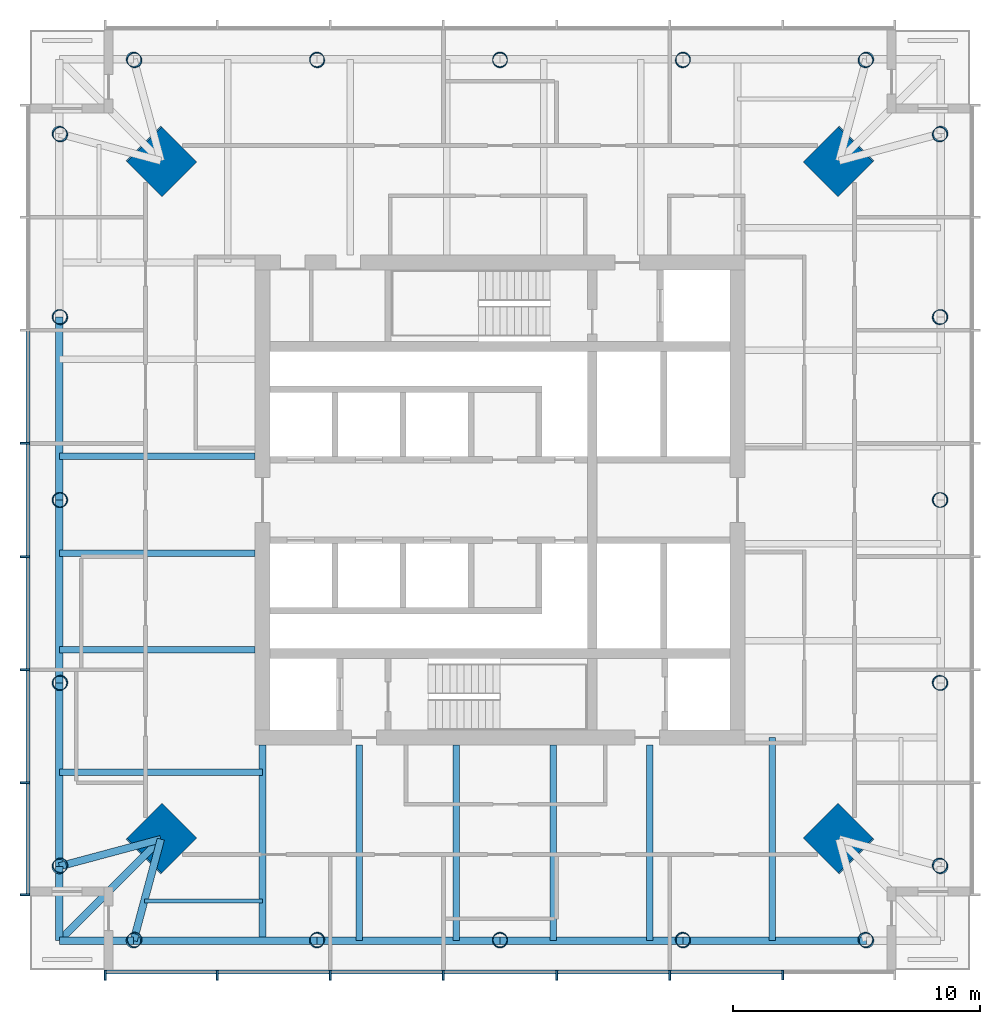
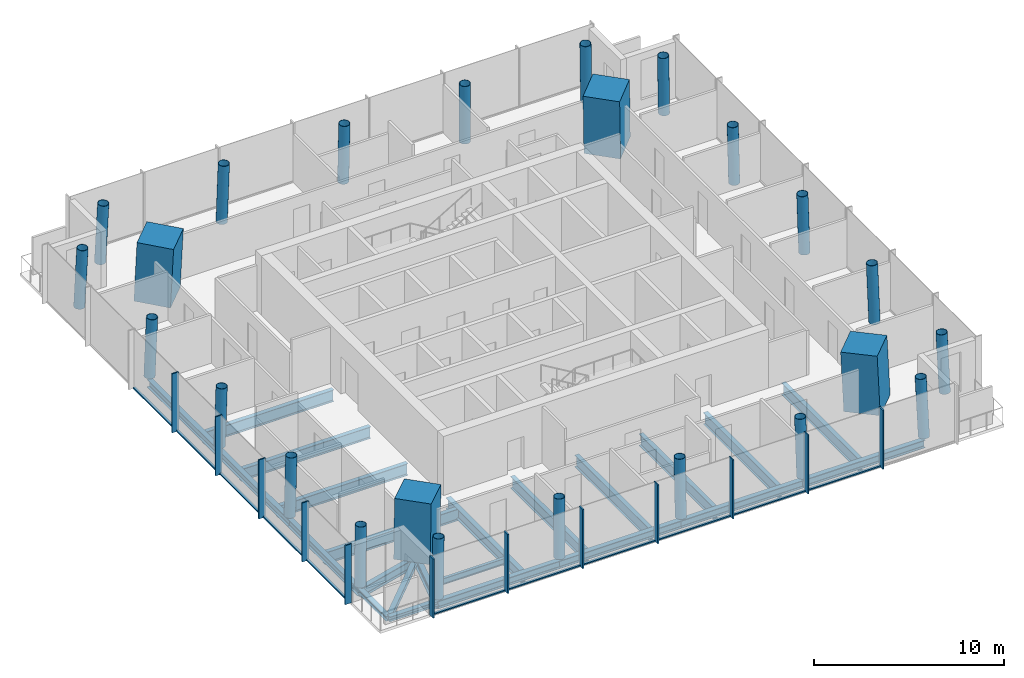
# One storey, part 1 of 7: 24 columns, 23 beams, 23 members, 2 elements without a shape of their own.
"""IFC4 building model written with IfcOpenShell, lengths in metres."""

from ifc_helpers import new_model, si_unit, direction, frame, origin, origin_2d, place, context, subcontext, project, spatial, rectangle, hollow_circle, i_section, extrude, material, material_profile, profile_set, type_object, element, aggregate, save


model = new_model("IFC4")

# Units and contexts
model_context = context("Model", 3, precision=1e-05, world=origin(), true_north=direction((0.0, 1.0)))
body_context = subcontext(model_context, "Body", "Model", "MODEL_VIEW")
ifc_project = project(units=[si_unit("LENGTHUNIT", "METRE"), si_unit("AREAUNIT", "SQUARE_METRE"), si_unit("VOLUMEUNIT", "CUBIC_METRE"), si_unit("PLANEANGLEUNIT", "RADIAN"), si_unit("MASSUNIT", "GRAM", prefix="KILO")], contexts=[model_context])

# Site, building, storey
site_placement = place(None, origin())
site = spatial("IfcSite", under=ifc_project, at=site_placement, CompositionType="ELEMENT")
building_placement = place(site_placement, origin())
building = spatial("IfcBuilding", under=site, at=building_placement, Name="Ostroluk Exchange", CompositionType="ELEMENT")
storey_placement = place(building_placement, frame((0.0, 0.0, 214.800048828125)))
storey = spatial("IfcBuildingStorey", under=building, at=storey_placement, Name="L55", CompositionType="ELEMENT", Elevation=214.800048828125)

# Columns
ifc_material_1 = material(Name="Concrete C50/60", Category="concrete")
ifc_material_profile_1 = material_profile(ifc_material_1, rectangle(XDim=2.0, YDim=2.0, at=origin_2d()), Name="RC 2000x2000")
ifc_profile_set_1 = profile_set([ifc_material_profile_1], Name="Concrete C50/60")
column_type_1 = type_object("IfcColumnType", Name="Mega column RC 2000x2000", PredefinedType="COLUMN", material=ifc_profile_set_1)
for number, where, z_axis, x_axis, name in (
    (1, (58.70703125, 59.70703125, 0.0), (-0.031898107953, -0.031898107953, 0.998981992539), (0.707106781187, -0.707106781187, 0.0), "T1 mega column NE"),
    (2, (31.29296875, 59.70703125, 0.0), (0.031898107953, -0.031898107953, 0.998981992539), (0.707106781187, 0.707106781187, 0.0), "T1 mega column NW"),
    (3, (31.29296875, 32.29296875, 0.0), (0.031898107953, 0.031898107953, 0.998981992539), (-0.707106781187, 0.707106781187, 0.0), "T1 mega column SW"),
    (4, (58.70703125, 32.29296875, 0.0), (-0.031898107953, 0.031898107953, 0.998981992539), (-0.707106781187, -0.707106781187, 0.0), "T1 mega column SE"),
):
    element("IfcColumn", number, at=place(storey_placement, frame(where, z_axis=z_axis, x_axis=x_axis)), inside=storey, type_object=column_type_1, Name=name, PredefinedType="COLUMN", context=body_context, shape_type="SweptSolid", body=[
        extrude(rectangle(XDim=2.0, YDim=2.0, at=origin_2d()), origin(), (0.0, 0.0, 1.0), 3.803955078125),
    ])
ifc_material_2 = material(Name="Steel S460", Category="steel")
ifc_material_profile_2 = material_profile(ifc_material_2, hollow_circle(Radius=0.304931640625, WallThickness=0.02490234375, at=origin_2d()), Name="CHS 610x25")
ifc_profile_set_2 = profile_set([ifc_material_profile_2], Name="Steel S460")
column_type_2 = type_object("IfcColumnType", Name="Perimeter column CHS 610x25", PredefinedType="COLUMN", material=ifc_profile_set_2)
for number, where, z_axis, x_axis, name in (
    (5, (62.80712890625, 31.19287109375, 0.0), (-0.031898107953, 0.031898107953, 0.998981992539), (-0.707106781187, -0.707106781187, 0.0), "T1 east face column E0"),
    (6, (62.80712890625, 60.80712890625, 0.0), (-0.031898107953, -0.031898107953, 0.998981992539), (0.707106781187, -0.707106781187, 0.0), "T1 east face column E1"),
):
    element("IfcColumn", number, at=place(storey_placement, frame(where, z_axis=z_axis, x_axis=x_axis)), inside=storey, type_object=column_type_2, Name=name, PredefinedType="COLUMN", context=body_context, shape_type="SweptSolid", body=[
        extrude(hollow_circle(Radius=0.304931640625, WallThickness=0.02490234375, at=origin_2d()), origin(), (0.0, 0.0, 1.0), 3.803955078125),
    ])
column_1_placement = place(storey_placement, frame((62.80712890625, 38.596435546875, 0.0), z_axis=(-0.031910269556, 0.015987237665, 0.999362868496), x_axis=(-0.447933021895, -0.894067115991, 0.0)))
element("IfcColumn", 7, at=column_1_placement, inside=storey, type_object=column_type_2, Name="T1 east face column I1", PredefinedType="COLUMN", context=body_context, shape_type="SweptSolid", body=[
    extrude(hollow_circle(Radius=0.304931640625, WallThickness=0.02490234375, at=origin_2d()), origin(), (0.0, 0.0, 1.0), 3.802490234375),
])
column_2_placement = place(storey_placement, frame((62.80712890625, 46.0, 0.0), z_axis=(-0.031914348339, 0.0, 0.999490607445), x_axis=(0.0, -1.0, 0.0)))
element("IfcColumn", 8, at=column_2_placement, inside=storey, type_object=column_type_2, Name="T1 east face column I2", PredefinedType="COLUMN", context=body_context, shape_type="SweptSolid", body=[
    extrude(hollow_circle(Radius=0.304931640625, WallThickness=0.02490234375, at=origin_2d()), origin(), (0.0, 0.0, 1.0), 3.802001953125),
])
column_3_placement = place(storey_placement, frame((62.80712890625, 53.403564453125, 0.0), z_axis=(-0.031910269556, -0.015987237665, 0.999362868496), x_axis=(0.447933021895, -0.894067115991, 0.0)))
element("IfcColumn", 9, at=column_3_placement, inside=storey, type_object=column_type_2, Name="T1 east face column I3", PredefinedType="COLUMN", context=body_context, shape_type="SweptSolid", body=[
    extrude(hollow_circle(Radius=0.304931640625, WallThickness=0.02490234375, at=origin_2d()), origin(), (0.0, 0.0, 1.0), 3.802490234375),
])
for number, where, z_axis, x_axis, name in (
    (10, (59.80712890625, 63.80712890625, 0.0), (-0.031898107953, -0.031898107953, 0.998981992539), (0.707106781187, -0.707106781187, 0.0), "T1 north face column E0"),
    (11, (30.19287109375, 63.80712890625, 0.0), (0.031898107953, -0.031898107953, 0.998981992539), (0.707106781187, 0.707106781187, 0.0), "T1 north face column E1"),
):
    element("IfcColumn", number, at=place(storey_placement, frame(where, z_axis=z_axis, x_axis=x_axis)), inside=storey, type_object=column_type_2, Name=name, PredefinedType="COLUMN", context=body_context, shape_type="SweptSolid", body=[
        extrude(hollow_circle(Radius=0.304931640625, WallThickness=0.02490234375, at=origin_2d()), origin(), (0.0, 0.0, 1.0), 3.803955078125),
    ])
column_4_placement = place(storey_placement, frame((52.403564453125, 63.80712890625, 0.0), z_axis=(-0.015987237665, -0.031910269556, 0.999362868496), x_axis=(0.894067115991, -0.447933021895, 0.0)))
element("IfcColumn", 12, at=column_4_placement, inside=storey, type_object=column_type_2, Name="T1 north face column I1", PredefinedType="COLUMN", context=body_context, shape_type="SweptSolid", body=[
    extrude(hollow_circle(Radius=0.304931640625, WallThickness=0.02490234375, at=origin_2d()), origin(), (0.0, 0.0, 1.0), 3.802490234375),
])
column_5_placement = place(storey_placement, frame((45.0, 63.80712890625, 0.0), z_axis=(0.0, -0.031914348339, 0.999490607445), x_axis=(1.0, 0.0, 0.0)))
element("IfcColumn", 13, at=column_5_placement, inside=storey, type_object=column_type_2, Name="T1 north face column I2", PredefinedType="COLUMN", context=body_context, shape_type="SweptSolid", body=[
    extrude(hollow_circle(Radius=0.304931640625, WallThickness=0.02490234375, at=origin_2d()), origin(), (0.0, 0.0, 1.0), 3.802001953125),
])
column_6_placement = place(storey_placement, frame((37.596435546875, 63.80712890625, 0.0), z_axis=(0.015987237665, -0.031910269556, 0.999362868496), x_axis=(0.894067115991, 0.447933021895, 0.0)))
element("IfcColumn", 14, at=column_6_placement, inside=storey, type_object=column_type_2, Name="T1 north face column I3", PredefinedType="COLUMN", context=body_context, shape_type="SweptSolid", body=[
    extrude(hollow_circle(Radius=0.304931640625, WallThickness=0.02490234375, at=origin_2d()), origin(), (0.0, 0.0, 1.0), 3.802490234375),
])
for number, where, z_axis, x_axis, name in (
    (15, (27.19287109375, 60.80712890625, 0.0), (0.031898107953, -0.031898107953, 0.998981992539), (0.707106781187, 0.707106781187, 0.0), "T1 west face column E0"),
    (16, (27.19287109375, 31.19287109375, 0.0), (0.031898107953, 0.031898107953, 0.998981992539), (-0.707106781187, 0.707106781187, 0.0), "T1 west face column E1"),
):
    element("IfcColumn", number, at=place(storey_placement, frame(where, z_axis=z_axis, x_axis=x_axis)), inside=storey, type_object=column_type_2, Name=name, PredefinedType="COLUMN", context=body_context, shape_type="SweptSolid", body=[
        extrude(hollow_circle(Radius=0.304931640625, WallThickness=0.02490234375, at=origin_2d()), origin(), (0.0, 0.0, 1.0), 3.803955078125),
    ])
column_7_placement = place(storey_placement, frame((27.19287109375, 53.403564453125, 0.0), z_axis=(0.031910269556, -0.015987237665, 0.999362868496), x_axis=(0.447933021895, 0.894067115991, 0.0)))
element("IfcColumn", 17, at=column_7_placement, inside=storey, type_object=column_type_2, Name="T1 west face column I1", PredefinedType="COLUMN", context=body_context, shape_type="SweptSolid", body=[
    extrude(hollow_circle(Radius=0.304931640625, WallThickness=0.02490234375, at=origin_2d()), origin(), (0.0, 0.0, 1.0), 3.802490234375),
])
column_8_placement = place(storey_placement, frame((27.19287109375, 46.0, 0.0), z_axis=(0.031914348339, 0.0, 0.999490607445), x_axis=(0.0, 1.0, 0.0)))
element("IfcColumn", 18, at=column_8_placement, inside=storey, type_object=column_type_2, Name="T1 west face column I2", PredefinedType="COLUMN", context=body_context, shape_type="SweptSolid", body=[
    extrude(hollow_circle(Radius=0.304931640625, WallThickness=0.02490234375, at=origin_2d()), origin(), (0.0, 0.0, 1.0), 3.802001953125),
])
column_9_placement = place(storey_placement, frame((27.19287109375, 38.596435546875, 0.0), z_axis=(0.031910269556, 0.015987237665, 0.999362868496), x_axis=(-0.447933021895, 0.894067115991, 0.0)))
element("IfcColumn", 19, at=column_9_placement, inside=storey, type_object=column_type_2, Name="T1 west face column I3", PredefinedType="COLUMN", context=body_context, shape_type="SweptSolid", body=[
    extrude(hollow_circle(Radius=0.304931640625, WallThickness=0.02490234375, at=origin_2d()), origin(), (0.0, 0.0, 1.0), 3.802490234375),
])
for number, where, z_axis, x_axis, name in (
    (20, (30.19287109375, 28.19287109375, 0.0), (0.031898107953, 0.031898107953, 0.998981992539), (-0.707106781187, 0.707106781187, 0.0), "T1 south face column E0"),
    (21, (59.80712890625, 28.19287109375, 0.0), (-0.031898107953, 0.031898107953, 0.998981992539), (-0.707106781187, -0.707106781187, 0.0), "T1 south face column E1"),
):
    element("IfcColumn", number, at=place(storey_placement, frame(where, z_axis=z_axis, x_axis=x_axis)), inside=storey, type_object=column_type_2, Name=name, PredefinedType="COLUMN", context=body_context, shape_type="SweptSolid", body=[
        extrude(hollow_circle(Radius=0.304931640625, WallThickness=0.02490234375, at=origin_2d()), origin(), (0.0, 0.0, 1.0), 3.803955078125),
    ])
column_10_placement = place(storey_placement, frame((37.596435546875, 28.19287109375, 0.0), z_axis=(0.015987237665, 0.031910269556, 0.999362868496), x_axis=(-0.894067115991, 0.447933021895, 0.0)))
element("IfcColumn", 22, at=column_10_placement, inside=storey, type_object=column_type_2, Name="T1 south face column I1", PredefinedType="COLUMN", context=body_context, shape_type="SweptSolid", body=[
    extrude(hollow_circle(Radius=0.304931640625, WallThickness=0.02490234375, at=origin_2d()), origin(), (0.0, 0.0, 1.0), 3.802490234375),
])
column_11_placement = place(storey_placement, frame((45.0, 28.19287109375, 0.0), z_axis=(0.0, 0.031914348339, 0.999490607445), x_axis=(-1.0, 0.0, 0.0)))
element("IfcColumn", 23, at=column_11_placement, inside=storey, type_object=column_type_2, Name="T1 south face column I2", PredefinedType="COLUMN", context=body_context, shape_type="SweptSolid", body=[
    extrude(hollow_circle(Radius=0.304931640625, WallThickness=0.02490234375, at=origin_2d()), origin(), (0.0, 0.0, 1.0), 3.802001953125),
])
column_12_placement = place(storey_placement, frame((52.403564453125, 28.19287109375, 0.0), z_axis=(-0.015987237665, 0.031910269556, 0.999362868496), x_axis=(-0.894067115991, -0.447933021895, 0.0)))
element("IfcColumn", 24, at=column_12_placement, inside=storey, type_object=column_type_2, Name="T1 south face column I3", PredefinedType="COLUMN", context=body_context, shape_type="SweptSolid", body=[
    extrude(hollow_circle(Radius=0.304931640625, WallThickness=0.02490234375, at=origin_2d()), origin(), (0.0, 0.0, 1.0), 3.802490234375),
])

# Beams
ifc_material_3 = material(Name="Steel S355", Category="steel")
ifc_material_profile_3 = material_profile(ifc_material_3, i_section(OverallWidth=0.300048828125, OverallDepth=0.300048828125, WebThickness=0.010986328125, FlangeThickness=0.01904296875, FilletRadius=0.027099609375, at=origin_2d()), Name="HEB 300")
ifc_profile_set_3 = profile_set([ifc_material_profile_3], Name="Steel S355")
beam_type_1 = type_object("IfcBeamType", Name="Balcony beam HEB 300", PredefinedType="BEAM", material=ifc_profile_set_3)
for number, where, z_axis, x_axis, name in (
    (25, (27.19287109375, 31.19287109375, -0.330078125), (0.0, -1.0, 0.0), (1.0, 0.0, 0.0), "T1 west balcony beam a"),
    (26, (30.19287109375, 28.19287109375, -0.330078125), (-1.0, 0.0, 0.0), (0.0, -1.0, 0.0), "T1 west balcony beam b"),
):
    element("IfcBeam", number, at=place(storey_placement, frame(where, z_axis=z_axis, x_axis=x_axis)), inside=storey, type_object=beam_type_1, Name=name, PredefinedType="BEAM", context=body_context, shape_type="SweptSolid", body=[
        extrude(i_section(OverallWidth=0.300048828125, OverallDepth=0.300048828125, WebThickness=0.010986328125, FlangeThickness=0.01904296875, FilletRadius=0.027099609375, at=origin_2d()), origin(), (0.0, 0.0, 1.0), 3.0),
    ])
beam_1_placement = place(storey_placement, frame((31.29296875, 32.29296875, -0.330078125), z_axis=(-0.707106781187, -0.707106781187, 0.0), x_axis=(0.707106781187, -0.707106781187, 0.0)))
element("IfcBeam", 27, at=beam_1_placement, inside=storey, type_object=beam_type_1, Name="T1 west balcony beam c", PredefinedType="BEAM", context=body_context, shape_type="SweptSolid", body=[
    extrude(i_section(OverallWidth=0.300048828125, OverallDepth=0.300048828125, WebThickness=0.010986328125, FlangeThickness=0.01904296875, FilletRadius=0.027099609375, at=origin_2d()), origin(), (0.0, 0.0, 1.0), 5.79833984375),
])
ifc_material_4 = material(Name="Steel S355", Category="steel")
ifc_material_profile_4 = material_profile(ifc_material_4, i_section(OverallWidth=0.300048828125, OverallDepth=0.60009765625, WebThickness=0.015380859375, FlangeThickness=0.030029296875, FilletRadius=0.027099609375, at=origin_2d()), Name="HEB 600")
ifc_profile_set_4 = profile_set([ifc_material_profile_4], Name="Steel S355")
beam_type_2 = type_object("IfcBeamType", Name="Corner edge beam HEB 600", PredefinedType="SPANDREL", material=ifc_profile_set_4)
for number, where, z_axis, x_axis, name in (
    (28, (31.29296875, 32.29296875, -0.47998046875), (-0.965838624319, -0.259144268261, 0.0), (0.259144268261, -0.965838624319, 0.0), "T1 west corner edge beam a"),
    (29, (31.29296875, 32.29296875, -0.47998046875), (-0.259144268261, -0.965838624319, 0.0), (0.965838624319, -0.259144268261, 0.0), "T1 west corner edge beam b"),
):
    element("IfcBeam", number, at=place(storey_placement, frame(where, z_axis=z_axis, x_axis=x_axis)), inside=storey, type_object=beam_type_2, Name=name, PredefinedType="SPANDREL", context=body_context, shape_type="SweptSolid", body=[
        extrude(i_section(OverallWidth=0.300048828125, OverallDepth=0.60009765625, WebThickness=0.015380859375, FlangeThickness=0.030029296875, FilletRadius=0.027099609375, at=origin_2d()), origin(), (0.0, 0.0, 1.0), 4.2451171875),
    ])
ifc_material_5 = material(Name="Steel S355", Category="steel")
ifc_material_profile_5 = material_profile(ifc_material_5, i_section(OverallWidth=0.179931640625, OverallDepth=0.39990234375, WebThickness=0.008544921875, FlangeThickness=0.013427734375, FilletRadius=0.02099609375, at=origin_2d()), Name="IPE 400")
ifc_profile_set_5 = profile_set([ifc_material_profile_5], Name="Steel S355")
beam_type_3 = type_object("IfcBeamType", Name="Floor beam IPE 400", PredefinedType="BEAM", material=ifc_profile_set_5)
beam_2_placement = place(storey_placement, frame((35.39990234375, 29.79296875, -0.380126953125), z_axis=(-1.0, 0.0, 0.0), x_axis=(0.0, -1.0, 0.0)))
element("IfcBeam", 30, at=beam_2_placement, inside=storey, type_object=beam_type_3, Name="T1 west floor beam 6", PredefinedType="BEAM", context=body_context, shape_type="SweptSolid", body=[
    extrude(i_section(OverallWidth=0.179931640625, OverallDepth=0.39990234375, WebThickness=0.008544921875, FlangeThickness=0.013427734375, FilletRadius=0.02099609375, at=origin_2d()), origin(), (0.0, 0.0, 1.0), 4.77783203125),
])
ifc_material_6 = material(Name="Steel S355", Category="steel")
ifc_material_profile_6 = material_profile(ifc_material_6, i_section(OverallWidth=0.264892578125, OverallDepth=0.7529296875, WebThickness=0.01318359375, FlangeThickness=0.01708984375, FilletRadius=0.01708984375, at=origin_2d()), Name="IPE 750x147")
ifc_profile_set_6 = profile_set([ifc_material_profile_6], Name="Steel S355")
beam_type_4 = type_object("IfcBeamType", Name="Floor beam IPE 750x147", PredefinedType="BEAM", material=ifc_profile_set_6)
for number, where, z_axis, x_axis, name in (
    (31, (35.10009765625, 47.769287109375, -0.556640625), (-1.0, 0.0, 0.0), (0.0, -1.0, 0.0), "T1 west floor beam 2"),
    (32, (35.10009765625, 43.85400390625, -0.556640625), (-1.0, 0.0, 0.0), (0.0, -1.0, 0.0), "T1 west floor beam 3"),
    (33, (35.10009765625, 39.938720703125, -0.556640625), (-1.0, 0.0, 0.0), (0.0, -1.0, 0.0), "T1 west floor beam 4"),
):
    element("IfcBeam", number, at=place(storey_placement, frame(where, z_axis=z_axis, x_axis=x_axis)), inside=storey, type_object=beam_type_4, Name=name, PredefinedType="BEAM", context=body_context, shape_type="SweptSolid", body=[
        extrude(i_section(OverallWidth=0.264892578125, OverallDepth=0.7529296875, WebThickness=0.01318359375, FlangeThickness=0.01708984375, FilletRadius=0.01708984375, at=origin_2d()), origin(), (0.0, 0.0, 1.0), 7.9072265625),
    ])
beam_3_placement = place(storey_placement, frame((35.39990234375, 35.0, -0.556640625), z_axis=(-1.0, 0.0, 0.0), x_axis=(0.0, -1.0, 0.0)))
element("IfcBeam", 34, at=beam_3_placement, inside=storey, type_object=beam_type_4, Name="T1 west floor beam 5", PredefinedType="BEAM", context=body_context, shape_type="SweptSolid", body=[
    extrude(i_section(OverallWidth=0.264892578125, OverallDepth=0.7529296875, WebThickness=0.01318359375, FlangeThickness=0.01708984375, FilletRadius=0.01708984375, at=origin_2d()), origin(), (0.0, 0.0, 1.0), 8.20703125),
])
for number, where, z_axis, x_axis, name in (
    (35, (39.315185546875, 36.10009765625, -0.556640625), (0.0, -1.0, 0.0), (1.0, 0.0, 0.0), "T1 south floor beam 1"),
    (36, (43.230712890625, 36.10009765625, -0.556640625), (0.0, -1.0, 0.0), (1.0, 0.0, 0.0), "T1 south floor beam 2"),
    (37, (47.14599609375, 36.10009765625, -0.556640625), (0.0, -1.0, 0.0), (1.0, 0.0, 0.0), "T1 south floor beam 3"),
    (38, (51.061279296875, 36.10009765625, -0.556640625), (0.0, -1.0, 0.0), (1.0, 0.0, 0.0), "T1 south floor beam 4"),
):
    element("IfcBeam", number, at=place(storey_placement, frame(where, z_axis=z_axis, x_axis=x_axis)), inside=storey, type_object=beam_type_4, Name=name, PredefinedType="BEAM", context=body_context, shape_type="SweptSolid", body=[
        extrude(i_section(OverallWidth=0.264892578125, OverallDepth=0.7529296875, WebThickness=0.01318359375, FlangeThickness=0.01708984375, FilletRadius=0.01708984375, at=origin_2d()), origin(), (0.0, 0.0, 1.0), 7.9072265625),
    ])
beam_4_placement = place(storey_placement, frame((56.0, 36.39990234375, -0.556640625), z_axis=(0.0, -1.0, 0.0), x_axis=(1.0, 0.0, 0.0)))
element("IfcBeam", 39, at=beam_4_placement, inside=storey, type_object=beam_type_4, Name="T1 south floor beam 5", PredefinedType="BEAM", context=body_context, shape_type="SweptSolid", body=[
    extrude(i_section(OverallWidth=0.264892578125, OverallDepth=0.7529296875, WebThickness=0.01318359375, FlangeThickness=0.01708984375, FilletRadius=0.01708984375, at=origin_2d()), origin(), (0.0, 0.0, 1.0), 8.20703125),
])
ifc_material_7 = material(Name="Steel S355", Category="steel")
ifc_material_profile_7 = material_profile(ifc_material_7, i_section(OverallWidth=0.300048828125, OverallDepth=0.699951171875, WebThickness=0.01708984375, FlangeThickness=0.031982421875, FilletRadius=0.027099609375, at=origin_2d()), Name="HEB 700")
ifc_profile_set_7 = profile_set([ifc_material_profile_7], Name="Steel S355")
beam_type_5 = type_object("IfcBeamType", Name="Girder HEB 700", PredefinedType="BEAM", material=ifc_profile_set_7)
beam_5_placement = place(storey_placement, frame((35.39990234375, 36.10009765625, -0.530029296875), z_axis=(0.0, -1.0, 0.0), x_axis=(1.0, 0.0, 0.0)))
element("IfcBeam", 40, at=beam_5_placement, inside=storey, type_object=beam_type_5, Name="T1 west girder", PredefinedType="BEAM", context=body_context, shape_type="SweptSolid", body=[
    extrude(i_section(OverallWidth=0.300048828125, OverallDepth=0.699951171875, WebThickness=0.01708984375, FlangeThickness=0.031982421875, FilletRadius=0.027099609375, at=origin_2d()), origin(), (0.0, 0.0, 1.0), 7.9072265625),
])
ifc_material_8 = material(Name="Steel S355", Category="steel")
ifc_material_profile_8 = material_profile(ifc_material_8, i_section(OverallWidth=0.300048828125, OverallDepth=0.5, WebThickness=0.014404296875, FlangeThickness=0.028076171875, FilletRadius=0.027099609375, at=origin_2d()), Name="HEB 500")
ifc_profile_set_8 = profile_set([ifc_material_profile_8], Name="Steel S355")
beam_type_6 = type_object("IfcBeamType", Name="Moment-connected edge beam HEB 500", PredefinedType="SPANDREL", material=ifc_profile_set_8)
for number, where, z_axis, x_axis, name in (
    (41, (27.19287109375, 53.403564453125, -0.429931640625), (0.0, -1.0, 0.0), (1.0, 0.0, 0.0), "T1 west edge beam 2"),
    (42, (27.19287109375, 46.0, -0.429931640625), (0.0, -1.0, 0.0), (1.0, 0.0, 0.0), "T1 west edge beam 3"),
    (43, (27.19287109375, 38.596435546875, -0.429931640625), (0.0, -1.0, 0.0), (1.0, 0.0, 0.0), "T1 west edge beam 4"),
    (44, (30.19287109375, 28.19287109375, -0.429931640625), (1.0, 0.0, 0.0), (0.0, 1.0, 0.0), "T1 south edge beam 1"),
    (45, (37.596435546875, 28.19287109375, -0.429931640625), (1.0, 0.0, 0.0), (0.0, 1.0, 0.0), "T1 south edge beam 2"),
    (46, (45.0, 28.19287109375, -0.429931640625), (1.0, 0.0, 0.0), (0.0, 1.0, 0.0), "T1 south edge beam 3"),
    (47, (52.403564453125, 28.19287109375, -0.429931640625), (1.0, 0.0, 0.0), (0.0, 1.0, 0.0), "T1 south edge beam 4"),
):
    element("IfcBeam", number, at=place(storey_placement, frame(where, z_axis=z_axis, x_axis=x_axis)), inside=storey, type_object=beam_type_6, Name=name, PredefinedType="SPANDREL", context=body_context, shape_type="SweptSolid", body=[
        extrude(i_section(OverallWidth=0.300048828125, OverallDepth=0.5, WebThickness=0.014404296875, FlangeThickness=0.028076171875, FilletRadius=0.027099609375, at=origin_2d()), origin(), (0.0, 0.0, 1.0), 7.403564453125),
    ])

# Curtain wall, members
ifc_material_9 = material(Name="Laminated clear glass", Category="glass")
curtain_wall_type = type_object("IfcCurtainWallType", Name="Office tower facade", PredefinedType="USERDEFINED", material=ifc_material_9)
curtain_wall_1_placement = place(storey_placement, origin())
curtain_wall_1 = element("IfcCurtainWall", 48, at=curtain_wall_1_placement, inside=storey, type_object=curtain_wall_type, Name="Office tower south facade L55", ObjectType="UNITISED CURTAIN WALL", PredefinedType="USERDEFINED")
ifc_material_10 = material(Name="Aluminium mullion", Category="aluminium")
ifc_material_profile_9 = material_profile(ifc_material_10, rectangle(XDim=0.14990234375, YDim=0.080078125, at=origin_2d()), Name="Sill transom 80 x 150")
ifc_profile_set_9 = profile_set([ifc_material_profile_9], Name="Aluminium mullion")
member_type_1 = type_object("IfcMemberType", Name="Sill transom 80 x 150", PredefinedType="USERDEFINED", material=ifc_profile_set_9)
member_1_placement = place(storey_placement, frame((29.080078125, 26.925048828125, 0.0400390625), z_axis=(1.0, 0.0, 0.0), x_axis=(0.0, 1.0, 0.0)))
member_1 = element("IfcMember", 49, at=member_1_placement, type_object=member_type_1, Name="CW-O1 transom 1.1", ObjectType="TRANSOM", PredefinedType="USERDEFINED", context=body_context, shape_type="SweptSolid", body=[
    extrude(rectangle(XDim=0.14990234375, YDim=0.080078125, at=origin_2d()), origin(), (0.0, 0.0, 1.0), 4.451416015625),
])
member_2_placement = place(storey_placement, frame((33.611328125, 26.925048828125, 0.0400390625), z_axis=(1.0, 0.0, 0.0), x_axis=(0.0, 1.0, 0.0)))
member_2 = element("IfcMember", 50, at=member_2_placement, type_object=member_type_1, Name="CW-O1 transom 2.1", ObjectType="TRANSOM", PredefinedType="USERDEFINED", context=body_context, shape_type="SweptSolid", body=[
    extrude(rectangle(XDim=0.14990234375, YDim=0.080078125, at=origin_2d()), origin(), (0.0, 0.0, 1.0), 4.491455078125),
])
member_3_placement = place(storey_placement, frame((38.182861328125, 26.925048828125, 0.0400390625), z_axis=(1.0, 0.0, 0.0), x_axis=(0.0, 1.0, 0.0)))
member_3 = element("IfcMember", 51, at=member_3_placement, type_object=member_type_1, Name="CW-O1 transom 3.1", ObjectType="TRANSOM", PredefinedType="USERDEFINED", context=body_context, shape_type="SweptSolid", body=[
    extrude(rectangle(XDim=0.14990234375, YDim=0.080078125, at=origin_2d()), origin(), (0.0, 0.0, 1.0), 4.491455078125),
])
member_4_placement = place(storey_placement, frame((42.75439453125, 26.925048828125, 0.0400390625), z_axis=(1.0, 0.0, 0.0), x_axis=(0.0, 1.0, 0.0)))
member_4 = element("IfcMember", 52, at=member_4_placement, type_object=member_type_1, Name="CW-O1 transom 4.1", ObjectType="TRANSOM", PredefinedType="USERDEFINED", context=body_context, shape_type="SweptSolid", body=[
    extrude(rectangle(XDim=0.14990234375, YDim=0.080078125, at=origin_2d()), origin(), (0.0, 0.0, 1.0), 4.4912109375),
])
member_5_placement = place(storey_placement, frame((47.32568359375, 26.925048828125, 0.0400390625), z_axis=(1.0, 0.0, 0.0), x_axis=(0.0, 1.0, 0.0)))
member_5 = element("IfcMember", 53, at=member_5_placement, type_object=member_type_1, Name="CW-O1 transom 5.1", ObjectType="TRANSOM", PredefinedType="USERDEFINED", context=body_context, shape_type="SweptSolid", body=[
    extrude(rectangle(XDim=0.14990234375, YDim=0.080078125, at=origin_2d()), origin(), (0.0, 0.0, 1.0), 4.491455078125),
])
member_6_placement = place(storey_placement, frame((51.897216796875, 26.925048828125, 0.0400390625), z_axis=(1.0, 0.0, 0.0), x_axis=(0.0, 1.0, 0.0)))
member_6 = element("IfcMember", 54, at=member_6_placement, type_object=member_type_1, Name="CW-O1 transom 6.1", ObjectType="TRANSOM", PredefinedType="USERDEFINED", context=body_context, shape_type="SweptSolid", body=[
    extrude(rectangle(XDim=0.14990234375, YDim=0.080078125, at=origin_2d()), origin(), (0.0, 0.0, 1.0), 4.491455078125),
])

curtain_wall_2_placement = place(storey_placement, origin())
curtain_wall_2 = element("IfcCurtainWall", 55, at=curtain_wall_2_placement, inside=storey, type_object=curtain_wall_type, Name="Office tower west facade L55", ObjectType="UNITISED CURTAIN WALL", PredefinedType="USERDEFINED")
member_7_placement = place(storey_placement, frame((25.925048828125, 52.817138671875, 0.0400390625), z_axis=(0.0, -1.0, 0.0), x_axis=(1.0, 0.0, 0.0)))
member_7 = element("IfcMember", 56, at=member_7_placement, type_object=member_type_1, Name="CW-O1 transom 3.1", ObjectType="TRANSOM", PredefinedType="USERDEFINED", context=body_context, shape_type="SweptSolid", body=[
    extrude(rectangle(XDim=0.14990234375, YDim=0.080078125, at=origin_2d()), origin(), (0.0, 0.0, 1.0), 4.491455078125),
])
member_8_placement = place(storey_placement, frame((25.925048828125, 48.24560546875, 0.0400390625), z_axis=(0.0, -1.0, 0.0), x_axis=(1.0, 0.0, 0.0)))
member_8 = element("IfcMember", 57, at=member_8_placement, type_object=member_type_1, Name="CW-O1 transom 4.1", ObjectType="TRANSOM", PredefinedType="USERDEFINED", context=body_context, shape_type="SweptSolid", body=[
    extrude(rectangle(XDim=0.14990234375, YDim=0.080078125, at=origin_2d()), origin(), (0.0, 0.0, 1.0), 4.4912109375),
])
member_9_placement = place(storey_placement, frame((25.925048828125, 43.67431640625, 0.0400390625), z_axis=(0.0, -1.0, 0.0), x_axis=(1.0, 0.0, 0.0)))
member_9 = element("IfcMember", 58, at=member_9_placement, type_object=member_type_1, Name="CW-O1 transom 5.1", ObjectType="TRANSOM", PredefinedType="USERDEFINED", context=body_context, shape_type="SweptSolid", body=[
    extrude(rectangle(XDim=0.14990234375, YDim=0.080078125, at=origin_2d()), origin(), (0.0, 0.0, 1.0), 4.491455078125),
])
member_10_placement = place(storey_placement, frame((25.925048828125, 39.102783203125, 0.0400390625), z_axis=(0.0, -1.0, 0.0), x_axis=(1.0, 0.0, 0.0)))
member_10 = element("IfcMember", 59, at=member_10_placement, type_object=member_type_1, Name="CW-O1 transom 6.1", ObjectType="TRANSOM", PredefinedType="USERDEFINED", context=body_context, shape_type="SweptSolid", body=[
    extrude(rectangle(XDim=0.14990234375, YDim=0.080078125, at=origin_2d()), origin(), (0.0, 0.0, 1.0), 4.491455078125),
])
member_11_placement = place(storey_placement, frame((25.925048828125, 34.531494140625, 0.0400390625), z_axis=(0.0, -1.0, 0.0), x_axis=(1.0, 0.0, 0.0)))
member_11 = element("IfcMember", 60, at=member_11_placement, type_object=member_type_1, Name="CW-O1 transom 7.1", ObjectType="TRANSOM", PredefinedType="USERDEFINED", context=body_context, shape_type="SweptSolid", body=[
    extrude(rectangle(XDim=0.14990234375, YDim=0.080078125, at=origin_2d()), origin(), (0.0, 0.0, 1.0), 4.451416015625),
])

# Member
ifc_material_11 = material(Name="Aluminium mullion with limestone facing", Category="masonry")
ifc_material_profile_10 = material_profile(ifc_material_11, rectangle(XDim=0.39990234375, YDim=0.080078125, at=origin_2d()), Name="Tracery mullion 80 x 400")
ifc_profile_set_10 = profile_set([ifc_material_profile_10], Name="Aluminium mullion with limestone facing")
member_type_2 = type_object("IfcMemberType", Name="Tracery mullion 80 x 400", PredefinedType="MULLION", material=ifc_profile_set_10)
member_12_placement = place(storey_placement, frame((29.0400390625, 26.800048828125, 0.0), z_axis=(0.0, 0.0, 1.0), x_axis=(0.0, 1.0, 0.0)))
member_12 = element("IfcMember", 61, at=member_12_placement, type_object=member_type_2, Name="CW-O1 mullion 1", PredefinedType="MULLION", context=body_context, shape_type="SweptSolid", body=[
    extrude(rectangle(XDim=0.39990234375, YDim=0.080078125, at=origin_2d()), origin(), (0.0, 0.0, 1.0), 3.800048828125),
])

member_13_placement = place(storey_placement, frame((33.571533203125, 26.800048828125, 0.0), z_axis=(0.0, 0.0, 1.0), x_axis=(0.0, 1.0, 0.0)))
member_13 = element("IfcMember", 62, at=member_13_placement, type_object=member_type_2, Name="CW-O1 mullion 2", PredefinedType="MULLION", context=body_context, shape_type="SweptSolid", body=[
    extrude(rectangle(XDim=0.39990234375, YDim=0.080078125, at=origin_2d()), origin(), (0.0, 0.0, 1.0), 3.800048828125),
])

member_14_placement = place(storey_placement, frame((38.142822265625, 26.800048828125, 0.0), z_axis=(0.0, 0.0, 1.0), x_axis=(0.0, 1.0, 0.0)))
member_14 = element("IfcMember", 63, at=member_14_placement, type_object=member_type_2, Name="CW-O1 mullion 3", PredefinedType="MULLION", context=body_context, shape_type="SweptSolid", body=[
    extrude(rectangle(XDim=0.39990234375, YDim=0.080078125, at=origin_2d()), origin(), (0.0, 0.0, 1.0), 3.800048828125),
])

member_15_placement = place(storey_placement, frame((42.71435546875, 26.800048828125, 0.0), z_axis=(0.0, 0.0, 1.0), x_axis=(0.0, 1.0, 0.0)))
member_15 = element("IfcMember", 64, at=member_15_placement, type_object=member_type_2, Name="CW-O1 mullion 4", PredefinedType="MULLION", context=body_context, shape_type="SweptSolid", body=[
    extrude(rectangle(XDim=0.39990234375, YDim=0.080078125, at=origin_2d()), origin(), (0.0, 0.0, 1.0), 3.800048828125),
])

member_16_placement = place(storey_placement, frame((47.28564453125, 26.800048828125, 0.0), z_axis=(0.0, 0.0, 1.0), x_axis=(0.0, 1.0, 0.0)))
member_16 = element("IfcMember", 65, at=member_16_placement, type_object=member_type_2, Name="CW-O1 mullion 5", PredefinedType="MULLION", context=body_context, shape_type="SweptSolid", body=[
    extrude(rectangle(XDim=0.39990234375, YDim=0.080078125, at=origin_2d()), origin(), (0.0, 0.0, 1.0), 3.800048828125),
])

member_17_placement = place(storey_placement, frame((51.857177734375, 26.800048828125, 0.0), z_axis=(0.0, 0.0, 1.0), x_axis=(0.0, 1.0, 0.0)))
member_17 = element("IfcMember", 66, at=member_17_placement, type_object=member_type_2, Name="CW-O1 mullion 6", PredefinedType="MULLION", context=body_context, shape_type="SweptSolid", body=[
    extrude(rectangle(XDim=0.39990234375, YDim=0.080078125, at=origin_2d()), origin(), (0.0, 0.0, 1.0), 3.800048828125),
])

member_18_placement = place(storey_placement, frame((56.428466796875, 26.800048828125, 0.0), z_axis=(0.0, 0.0, 1.0), x_axis=(0.0, 1.0, 0.0)))
member_18 = element("IfcMember", 67, at=member_18_placement, type_object=member_type_2, Name="CW-O1 mullion 7", PredefinedType="MULLION", context=body_context, shape_type="SweptSolid", body=[
    extrude(rectangle(XDim=0.39990234375, YDim=0.080078125, at=origin_2d()), origin(), (0.0, 0.0, 1.0), 3.800048828125),
])

aggregate(curtain_wall_1, [member_12, member_13, member_14, member_15, member_16, member_17, member_18, member_1, member_2, member_3, member_4, member_5, member_6])

member_19_placement = place(storey_placement, frame((25.800048828125, 48.28564453125, 0.0), z_axis=(0.0, 0.0, 1.0), x_axis=(1.0, 0.0, 0.0)))
member_19 = element("IfcMember", 68, at=member_19_placement, type_object=member_type_2, Name="CW-O1 mullion 4", PredefinedType="MULLION", context=body_context, shape_type="SweptSolid", body=[
    extrude(rectangle(XDim=0.39990234375, YDim=0.080078125, at=origin_2d()), origin(), (0.0, 0.0, 1.0), 3.800048828125),
])

member_20_placement = place(storey_placement, frame((25.800048828125, 43.71435546875, 0.0), z_axis=(0.0, 0.0, 1.0), x_axis=(1.0, 0.0, 0.0)))
member_20 = element("IfcMember", 69, at=member_20_placement, type_object=member_type_2, Name="CW-O1 mullion 5", PredefinedType="MULLION", context=body_context, shape_type="SweptSolid", body=[
    extrude(rectangle(XDim=0.39990234375, YDim=0.080078125, at=origin_2d()), origin(), (0.0, 0.0, 1.0), 3.800048828125),
])

member_21_placement = place(storey_placement, frame((25.800048828125, 39.142822265625, 0.0), z_axis=(0.0, 0.0, 1.0), x_axis=(1.0, 0.0, 0.0)))
member_21 = element("IfcMember", 70, at=member_21_placement, type_object=member_type_2, Name="CW-O1 mullion 6", PredefinedType="MULLION", context=body_context, shape_type="SweptSolid", body=[
    extrude(rectangle(XDim=0.39990234375, YDim=0.080078125, at=origin_2d()), origin(), (0.0, 0.0, 1.0), 3.800048828125),
])

member_22_placement = place(storey_placement, frame((25.800048828125, 34.571533203125, 0.0), z_axis=(0.0, 0.0, 1.0), x_axis=(1.0, 0.0, 0.0)))
member_22 = element("IfcMember", 71, at=member_22_placement, type_object=member_type_2, Name="CW-O1 mullion 7", PredefinedType="MULLION", context=body_context, shape_type="SweptSolid", body=[
    extrude(rectangle(XDim=0.39990234375, YDim=0.080078125, at=origin_2d()), origin(), (0.0, 0.0, 1.0), 3.800048828125),
])

member_23_placement = place(storey_placement, frame((25.800048828125, 30.0400390625, 0.0), z_axis=(0.0, 0.0, 1.0), x_axis=(1.0, 0.0, 0.0)))
member_23 = element("IfcMember", 72, at=member_23_placement, type_object=member_type_2, Name="CW-O1 mullion 8", PredefinedType="MULLION", context=body_context, shape_type="SweptSolid", body=[
    extrude(rectangle(XDim=0.39990234375, YDim=0.080078125, at=origin_2d()), origin(), (0.0, 0.0, 1.0), 3.800048828125),
])

aggregate(curtain_wall_2, [member_19, member_20, member_21, member_22, member_23, member_7, member_8, member_9, member_10, member_11])

save(model, "model.ifc")
